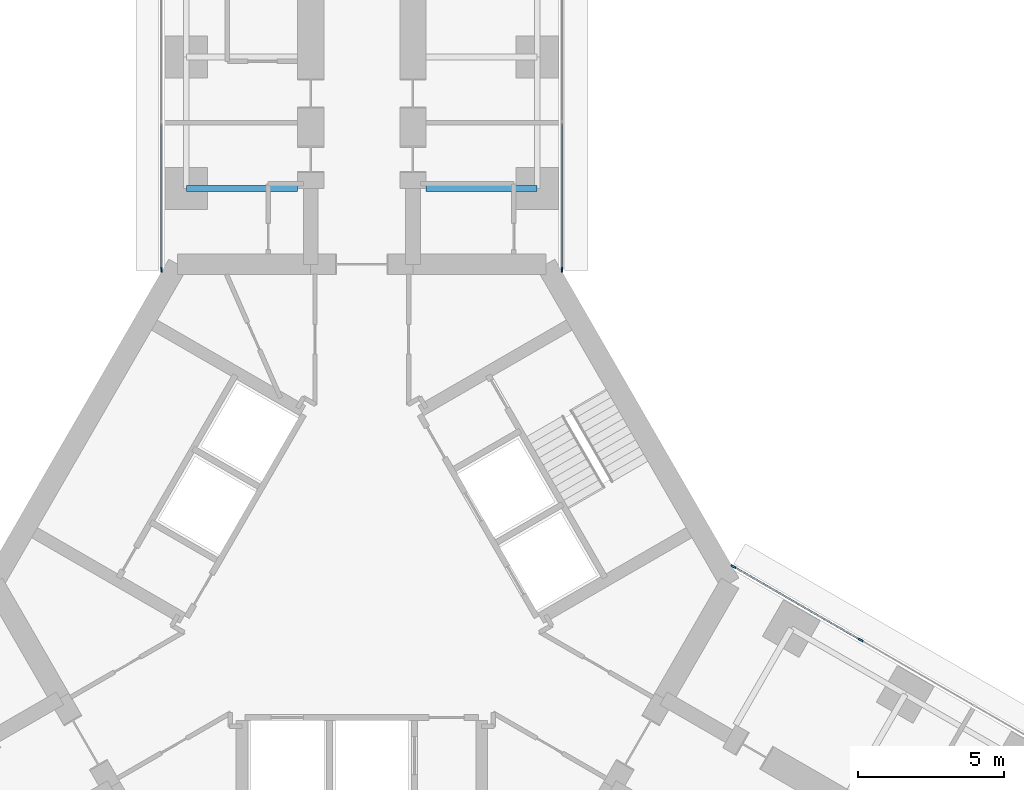
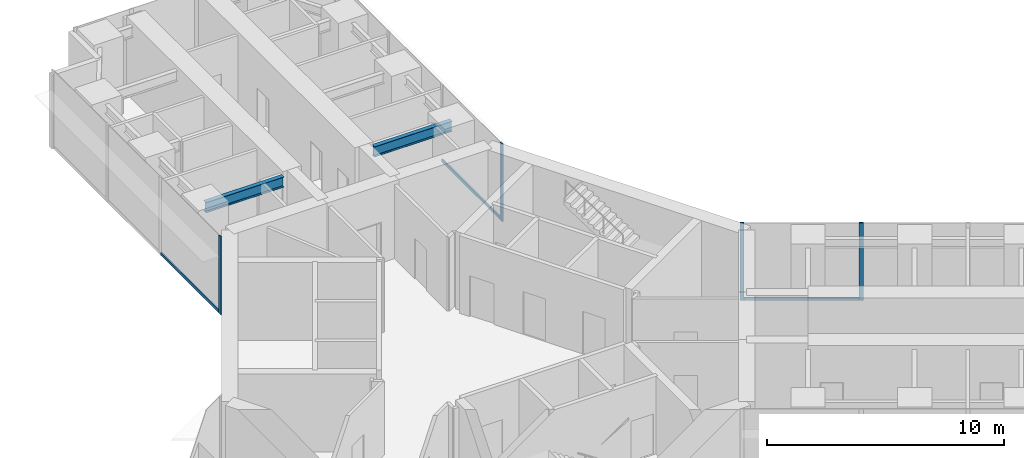
# One storey, part 11 of 24: 7 members, 2 beams, 3 elements without a shape of their own.
"""IFC4 building model written with IfcOpenShell, lengths in metres."""

from ifc_helpers import new_model, si_unit, direction, frame, origin, origin_2d, place, context, subcontext, project, spatial, rectangle, i_section, extrude, material, material_profile, profile_set, type_object, element, aggregate, save


model = new_model("IFC4")

# Units and contexts
model_context = context("Model", 3, precision=1e-05, world=origin(), true_north=direction((0.0, 1.0)))
body_context = subcontext(model_context, "Body", "Model", "MODEL_VIEW")
ifc_project = project(units=[si_unit("LENGTHUNIT", "METRE"), si_unit("AREAUNIT", "SQUARE_METRE"), si_unit("VOLUMEUNIT", "CUBIC_METRE"), si_unit("PLANEANGLEUNIT", "RADIAN"), si_unit("MASSUNIT", "GRAM", prefix="KILO")], contexts=[model_context])

# Site, building, storey
site_placement = place(None, origin())
site = spatial("IfcSite", under=ifc_project, at=site_placement, CompositionType="ELEMENT")
building_placement = place(site_placement, origin())
building = spatial("IfcBuilding", under=site, at=building_placement, Name="Upepo Twin Towers", CompositionType="ELEMENT")
storey_placement = place(building_placement, frame((0.0, 0.0, 52.5)))
storey = spatial("IfcBuildingStorey", under=building, at=storey_placement, Name="L12", CompositionType="ELEMENT", Elevation=52.5)

# Beams
ifc_material_1 = material(Name="Steel S355", Category="steel")
ifc_material_profile_1 = material_profile(ifc_material_1, i_section(OverallWidth=0.209228515625, OverallDepth=0.533203125, WebThickness=0.010009765625, FlangeThickness=0.015625, FilletRadius=0.0126953125, at=origin_2d()), Name="UB 533x210x92")
ifc_profile_set_1 = profile_set([ifc_material_profile_1], Name="Steel S355")
beam_type = type_object("IfcBeamType", Name="Beam UB 533x210x92", PredefinedType="BEAM", material=ifc_profile_set_1)
for number, where, z_axis, x_axis, name in (
    (1, (52.5, -4.5, 3.533447265625), (1.0, 0.0, 0.0), (0.0, 1.0, 0.0), "T2 girder AL at 13.5"),
    (2, (64.5, -4.5, 3.533447265625), (-1.0, 0.0, 0.0), (0.0, -1.0, 0.0), "T2 girder AR at 13.5"),
):
    element("IfcBeam", number, at=place(storey_placement, frame(where, z_axis=z_axis, x_axis=x_axis)), inside=storey, type_object=beam_type, Name=name, PredefinedType="BEAM", context=body_context, shape_type="SweptSolid", body=[
        extrude(i_section(OverallWidth=0.209228515625, OverallDepth=0.533203125, WebThickness=0.010009765625, FlangeThickness=0.015625, FilletRadius=0.0126953125, at=origin_2d()), origin(), (0.0, 0.0, 1.0), 3.800048828125),
    ])

# Curtain wall, member
ifc_material_2 = material(Name="Aluminium and fritted glass", Category="aluminium")
curtain_wall_type = type_object("IfcCurtainWallType", Name="Tower curtain wall TW1, fritted glass", PredefinedType="NOTDEFINED", material=ifc_material_2)
curtain_wall_1_placement = place(storey_placement, origin())
curtain_wall_1 = element("IfcCurtainWall", 3, at=curtain_wall_1_placement, inside=storey, type_object=curtain_wall_type, Name="T2 L12 wing A flank L curtain wall", PredefinedType="NOTDEFINED")
ifc_material_3 = material(Name="Aluminium mullion", Category="aluminium")
ifc_material_profile_2 = material_profile(ifc_material_3, rectangle(XDim=0.06494140625, YDim=0.179931640625, at=origin_2d()), Name="MULLION 65x180")
ifc_profile_set_2 = profile_set([ifc_material_profile_2], Name="Aluminium mullion")
member_type_1 = type_object("IfcMemberType", Name="Mullion 65x180 TW1", PredefinedType="MULLION", material=ifc_profile_set_2)
member_1_placement = place(storey_placement, frame((51.64990234375, -7.2802734375, 0.0), z_axis=(0.0, 0.0, 1.0), x_axis=(-1.0, 0.0, 0.0)))
member_1 = element("IfcMember", 4, at=member_1_placement, type_object=member_type_1, Name="T2 L12 wing A flank L curtain wall mullion 1", PredefinedType="MULLION", context=body_context, shape_type="SweptSolid", body=[
    extrude(rectangle(XDim=0.06494140625, YDim=0.179931640625, at=origin_2d()), origin(), (0.0, 0.0, 1.0), 4.0),
])

curtain_wall_2_placement = place(storey_placement, origin())
curtain_wall_2 = element("IfcCurtainWall", 5, at=curtain_wall_2_placement, inside=storey, type_object=curtain_wall_type, Name="T2 L12 wing A flank R curtain wall", PredefinedType="NOTDEFINED")
member_2_placement = place(storey_placement, frame((65.35009765625, -7.2802734375, 0.0), z_axis=(0.0, 0.0, 1.0), x_axis=(1.0, 0.0, 0.0)))
member_2 = element("IfcMember", 6, at=member_2_placement, type_object=member_type_1, Name="T2 L12 wing A flank R curtain wall mullion 4", PredefinedType="MULLION", context=body_context, shape_type="SweptSolid", body=[
    extrude(rectangle(XDim=0.06494140625, YDim=0.179931640625, at=origin_2d()), origin(), (0.0, 0.0, 1.0), 4.0),
])

# Curtain wall, members
curtain_wall_3_placement = place(storey_placement, origin())
curtain_wall_3 = element("IfcCurtainWall", 7, at=curtain_wall_3_placement, inside=storey, type_object=curtain_wall_type, Name="T2 L12 wing C flank L curtain wall", PredefinedType="NOTDEFINED")
member_3_placement = place(storey_placement, frame((71.20849609375, -17.427490234375, 0.0), z_axis=(0.0, 0.0, 1.0), x_axis=(0.500000024426, 0.866025389682, 0.0)))
member_3 = element("IfcMember", 8, at=member_3_placement, type_object=member_type_1, Name="T2 L12 wing C flank L curtain wall mullion 1", PredefinedType="MULLION", context=body_context, shape_type="SweptSolid", body=[
    extrude(rectangle(XDim=0.06494140625, YDim=0.179931640625, at=origin_2d()), origin(), (0.0, 0.0, 1.0), 4.0),
])
member_4_placement = place(storey_placement, frame((75.56494140625, -19.942626953125, 0.0), z_axis=(0.0, 0.0, 1.0), x_axis=(0.500000024426, 0.866025389682, 0.0)))
member_4 = element("IfcMember", 9, at=member_4_placement, type_object=member_type_1, Name="T2 L12 wing C flank L curtain wall mullion 2", PredefinedType="MULLION", context=body_context, shape_type="SweptSolid", body=[
    extrude(rectangle(XDim=0.06494140625, YDim=0.179931640625, at=origin_2d()), origin(), (0.0, 0.0, 1.0), 4.0),
])

# Member
ifc_material_4 = material(Name="Aluminium transom", Category="aluminium")
ifc_material_profile_3 = material_profile(ifc_material_4, rectangle(XDim=0.06494140625, YDim=0.14990234375, at=origin_2d()), Name="TRANSOM 65x150")
ifc_profile_set_3 = profile_set([ifc_material_profile_3], Name="Aluminium transom")
member_type_2 = type_object("IfcMemberType", Name="Transom 65x150 TW1", PredefinedType="USERDEFINED", material=ifc_profile_set_3)
member_5_placement = place(storey_placement, frame((51.64990234375, -7.247802734375, 0.074951171875), z_axis=(0.0, 1.0, 0.0), x_axis=(-1.0, 0.0, 0.0)))
member_5 = element("IfcMember", 10, at=member_5_placement, type_object=member_type_2, Name="T2 L12 wing A flank L curtain wall transom 1", ObjectType="TRANSOM", PredefinedType="USERDEFINED", context=body_context, shape_type="SweptSolid", body=[
    extrude(rectangle(XDim=0.06494140625, YDim=0.14990234375, at=origin_2d()), origin(), (0.0, 0.0, 1.0), 4.96533203125),
])

aggregate(curtain_wall_1, [member_1, member_5])

member_6_placement = place(storey_placement, frame((65.35009765625, -2.282470703125, 0.074951171875), z_axis=(0.0, -1.0, 0.0), x_axis=(1.0, 0.0, 0.0)))
member_6 = element("IfcMember", 11, at=member_6_placement, type_object=member_type_2, Name="T2 L12 wing A flank R curtain wall transom 3", ObjectType="TRANSOM", PredefinedType="USERDEFINED", context=body_context, shape_type="SweptSolid", body=[
    extrude(rectangle(XDim=0.06494140625, YDim=0.14990234375, at=origin_2d()), origin(), (0.0, 0.0, 1.0), 4.96533203125),
])

aggregate(curtain_wall_2, [member_2, member_6])

member_7_placement = place(storey_placement, frame((71.236572265625, -17.44384765625, 0.074951171875), z_axis=(0.866034933967, -0.499983492876, 0.0), x_axis=(0.499983492876, 0.866034933967, 0.0)))
member_7 = element("IfcMember", 12, at=member_7_placement, type_object=member_type_2, Name="T2 L12 wing C flank L curtain wall transom 1", ObjectType="TRANSOM", PredefinedType="USERDEFINED", context=body_context, shape_type="SweptSolid", body=[
    extrude(rectangle(XDim=0.06494140625, YDim=0.14990234375, at=origin_2d()), origin(), (0.0, 0.0, 1.0), 4.965576171875),
])

aggregate(curtain_wall_3, [member_3, member_4, member_7])

save(model, "model.ifc")
